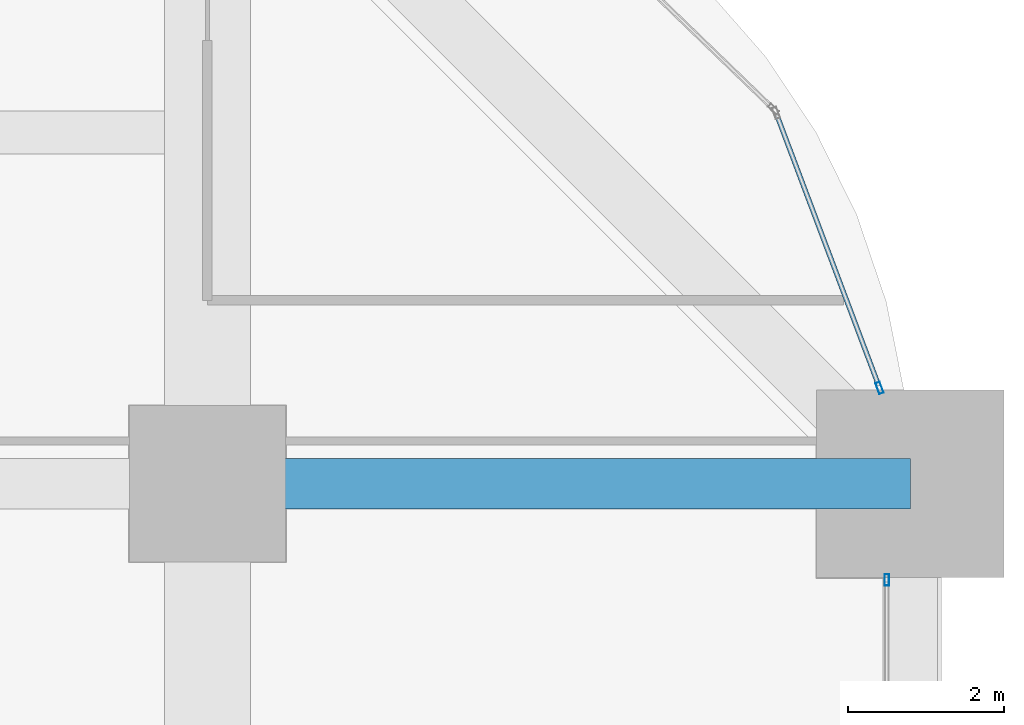
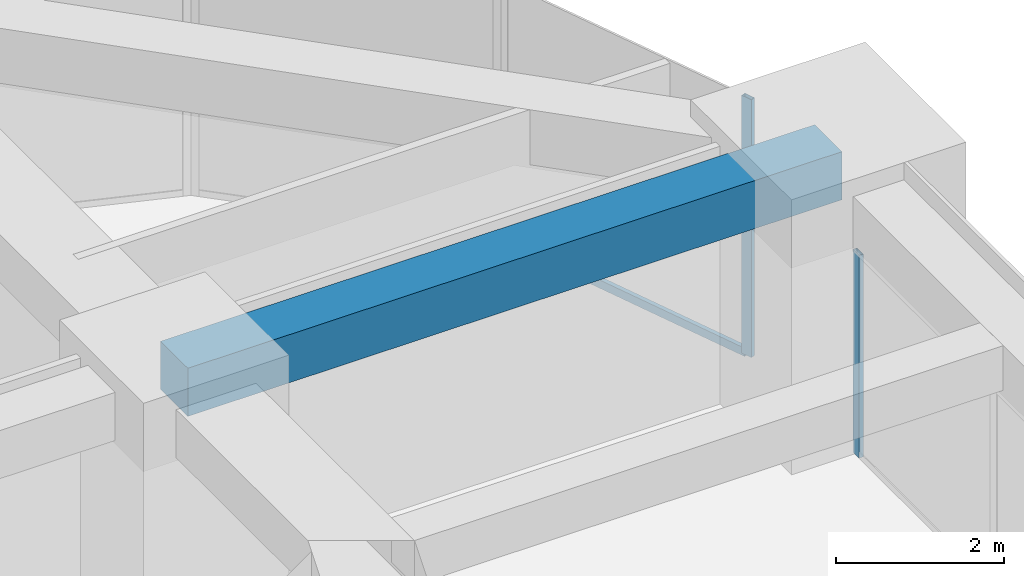
# One storey, part 32 of 41: 3 members, 1 beam, 2 elements without a shape of their own.
"""IFC4 building model written with IfcOpenShell, lengths in metres."""

import ifcopenshell
import ifcopenshell.guid

model = None  # the IFC model being written
_history = None  # IfcOwnerHistory: only IFC2X3 demands one
_inside = {}  # id of a spatial element -> (the spatial element, [elements in it])
_under = {}  # id of a project, library or spatial element -> (it, [spatial elements below it])
_declared = {}  # id of a project -> (the project, [libraries it declares])
_typed = {}  # id of a type object -> (the type object, [elements of that type])
_made_of = {}  # id of a material, layer set ... -> (it, [elements and type objects made of it])


def new_model(schema):
    """Start an empty IFC model of exactly this schema.

    Asked for "IFC4X3", IfcOpenShell would pick the latest addendum, in which some entities
    have other attributes; the version numbers below select the first issue.
    IFC2X3 requires an IfcOwnerHistory on every rooted entity: one is made here for all.
    """
    global model, _history
    if schema == "IFC4X3":
        model = ifcopenshell.file(schema_version=(4, 3, 0, 0))
    else:
        model = ifcopenshell.file(schema=schema)
    _inside.clear()
    _under.clear()
    _declared.clear()
    _typed.clear()
    _made_of.clear()
    _history = None
    if model.schema == "IFC2X3":
        org = make("IfcOrganization", Name="unknown")
        user = make(
            "IfcPersonAndOrganization",
            ThePerson=make("IfcPerson", FamilyName="unknown"),
            TheOrganization=org,
        )
        app = make(
            "IfcApplication",
            ApplicationDeveloper=org,
            Version="unknown",
            ApplicationFullName="unknown",
            ApplicationIdentifier="unknown",
        )
        _history = make(
            "IfcOwnerHistory",
            OwningUser=user,
            OwningApplication=app,
            ChangeAction="ADDED",
            CreationDate=0,
        )
    return model


def make(cls, **values):
    """One entity of the class cls with the attributes given. An attribute that is None is left unset."""
    return model.create_entity(
        cls, **{name: value for name, value in values.items() if value is not None}
    )


def rooted(cls, **values):
    """An entity with a GlobalId (a new one), such as an element, a storey or a relation."""
    return make(cls, GlobalId=ifcopenshell.guid.new(), OwnerHistory=_history, **values)


def si_unit(unit_type, name, prefix=None):
    """IfcSIUnit, for example si_unit("LENGTHUNIT", "METRE", prefix="MILLI")."""
    return make("IfcSIUnit", UnitType=unit_type, Prefix=prefix, Name=name)


def assignment(units):
    """IfcUnitAssignment: the units of a project."""
    return None if units is None else make("IfcUnitAssignment", Units=units)


def point(xyz):
    """IfcCartesianPoint."""
    return None if xyz is None else make("IfcCartesianPoint", Coordinates=xyz)


def direction(xyz):
    """IfcDirection."""
    return None if xyz is None else make("IfcDirection", DirectionRatios=xyz)


def frame(location, z_axis=None, x_axis=None):
    """IfcAxis2Placement3D, a coordinate frame: its origin and axes. An axis left out is left unset."""
    return make(
        "IfcAxis2Placement3D",
        Location=point(location),
        Axis=direction(z_axis),
        RefDirection=direction(x_axis),
    )


def frame_2d(location, x_axis=None):
    """IfcAxis2Placement2D, a coordinate frame in the plane: its origin and x axis."""
    return make(
        "IfcAxis2Placement2D", Location=point(location), RefDirection=direction(x_axis)
    )


def origin():
    """The frame at (0, 0, 0) with its axes left unset."""
    return frame((0.0, 0.0, 0.0))


def origin_2d():
    """The frame at (0, 0) in the plane with its x axis left unset."""
    return frame_2d((0.0, 0.0))


def place(relative_to, where):
    """IfcLocalPlacement: puts the frame where relative to a parent placement (None: the world)."""
    return make(
        "IfcLocalPlacement", PlacementRelTo=relative_to, RelativePlacement=where
    )


def context(
    kind, dimensions, precision=None, world=None, true_north=None, identifier=None
):
    """IfcGeometricRepresentationContext, for example the 3D "Model" context."""
    return make(
        "IfcGeometricRepresentationContext",
        ContextIdentifier=identifier,
        ContextType=kind,
        CoordinateSpaceDimension=dimensions,
        Precision=precision,
        WorldCoordinateSystem=world,
        TrueNorth=true_north,
    )


def subcontext(parent, identifier, kind, view, scale=None):
    """IfcGeometricRepresentationSubContext, for example "Body" below "Model"."""
    return make(
        "IfcGeometricRepresentationSubContext",
        ContextIdentifier=identifier,
        ContextType=kind,
        ParentContext=parent,
        TargetScale=scale,
        TargetView=view,
    )


def project(units=None, contexts=None):
    """IfcProject with its units and contexts."""
    return rooted(
        "IfcProject",
        Name="project",
        RepresentationContexts=contexts,
        UnitsInContext=assignment(units),
    )


def spatial(cls, under=None, at=None, **own):
    """A site, building, storey or space (cls), placed at a placement, below another one or the project."""
    s = rooted(cls, ObjectPlacement=at, **own)
    if under is not None:
        _under.setdefault(under.id(), (under, []))[1].append(s)
    return s


def profile(cls, at=None, kind="AREA", **sizes):
    """A parametric profile (cls). Its sizes go by their IFC names, for example OverallWidth=200.0."""
    return make(cls, ProfileType=kind, Position=at, **sizes)


def rectangle(**sizes):
    """IfcRectangleProfileDef."""
    return profile("IfcRectangleProfileDef", **sizes)


def hollow_rectangle(**sizes):
    """IfcRectangleHollowProfileDef."""
    return profile("IfcRectangleHollowProfileDef", **sizes)


def extrude(swept, where, along, depth):
    """IfcExtrudedAreaSolid: the profile swept, set in the frame where, extruded along a direction by depth."""
    return make(
        "IfcExtrudedAreaSolid",
        SweptArea=swept,
        Position=where,
        ExtrudedDirection=direction(along),
        Depth=depth,
    )


def shape(context_of_items, identifier, shape_type, items):
    """IfcShapeRepresentation: the items that make up one representation, for example the "Body"."""
    return make(
        "IfcShapeRepresentation",
        ContextOfItems=context_of_items,
        RepresentationIdentifier=identifier,
        RepresentationType=shape_type,
        Items=items,
    )


def material(Name=None, Category=None):
    """IfcMaterial."""
    return make("IfcMaterial", Name=Name, Category=Category)


def material_profile(
    of_material, cross_section, Name=None, Category=None, Priority=None
):
    """IfcMaterialProfile: a cross section and its material."""
    return make(
        "IfcMaterialProfile",
        Name=Name,
        Material=of_material,
        Profile=cross_section,
        Priority=Priority,
        Category=Category,
    )


def profile_set(profiles, Name=None, composite=None):
    """IfcMaterialProfileSet."""
    return make(
        "IfcMaterialProfileSet",
        Name=Name,
        MaterialProfiles=profiles,
        CompositeProfile=composite,
    )


def made_of(thing, what):
    """Note that an element or type object is made of a material, layer set ...; save() writes the relation."""
    if what is not None:
        _made_of.setdefault(what.id(), (what, []))[1].append(thing)
    return thing


def type_object(cls, material=None, **own):
    """A type object (cls), such as IfcWallType, which elements share."""
    return made_of(rooted(cls, **own), material)


def element(
    cls,
    number,
    at=None,
    inside=None,
    cuts=None,
    type_object=None,
    material=None,
    context=None,
    identifier="Body",
    shape_type=None,
    held_by="IfcProductDefinitionShape",
    body=None,
    shapes=None,
    **own,
):
    """One element of the class cls, such as IfcWall. Its Tag is "e" and its number.

    at: its placement. inside: the storey or other place that contains it. cuts: it is an
    opening in that element (IfcRelVoidsElement). A single representation is given by context,
    identifier, shape_type and body (its items); several are given by shapes. held_by: the class
    of the entity that holds the representations. save() writes the other relations.
    """
    e = rooted(cls, Tag="e%d" % number, ObjectPlacement=at, **own)
    if body is not None:
        shapes = [shape(context, identifier, shape_type, body)]
    if shapes is not None:
        e.Representation = make(held_by, Representations=shapes)
    if inside is not None:
        _inside.setdefault(inside.id(), (inside, []))[1].append(e)
    if cuts is not None:
        rooted(
            "IfcRelVoidsElement", RelatingBuildingElement=cuts, RelatedOpeningElement=e
        )
    if type_object is not None:
        _typed.setdefault(type_object.id(), (type_object, []))[1].append(e)
    return made_of(e, material)


def aggregate(whole, parts):
    """IfcRelAggregates: a whole, such as a stair, and the parts it consists of."""
    return rooted("IfcRelAggregates", RelatingObject=whole, RelatedObjects=parts)


def save(model, path):
    """Write the relations noted so far, then the file.

    IfcRelAggregates (storeys below a building ...), IfcRelContainedInSpatialStructure (elements
    in a storey), IfcRelDefinesByType, IfcRelAssociatesMaterial and IfcRelDeclares: one each for
    every whole, place, type object, material and project.
    """
    for whole, parts in _under.values():
        aggregate(whole, parts)
    for where, things in _inside.values():
        rooted(
            "IfcRelContainedInSpatialStructure",
            RelatedElements=things,
            RelatingStructure=where,
        )
    for kind, things in _typed.values():
        rooted("IfcRelDefinesByType", RelatedObjects=things, RelatingType=kind)
    for what, things in _made_of.values():
        rooted("IfcRelAssociatesMaterial", RelatedObjects=things, RelatingMaterial=what)
    for by, libraries in _declared.values():
        rooted("IfcRelDeclares", RelatingContext=by, RelatedDefinitions=libraries)
    model.write(path)


model = new_model("IFC4")

# Units and contexts
model_context = context("Model", 3, precision=1e-05, world=origin(), true_north=direction((0.0, 1.0)))
body_context = subcontext(model_context, "Body", "Model", "MODEL_VIEW")
ifc_project = project(units=[si_unit("LENGTHUNIT", "METRE"), si_unit("AREAUNIT", "SQUARE_METRE"), si_unit("VOLUMEUNIT", "CUBIC_METRE"), si_unit("PLANEANGLEUNIT", "RADIAN"), si_unit("MASSUNIT", "GRAM", prefix="KILO")], contexts=[model_context])

# Site, building, storey
site_placement = place(None, origin())
site = spatial("IfcSite", under=ifc_project, at=site_placement, CompositionType="ELEMENT")
building_placement = place(site_placement, origin())
building = spatial("IfcBuilding", under=site, at=building_placement, Name="Zorevar Civic Tower", CompositionType="ELEMENT")
storey_placement = place(building_placement, frame((0.0, 0.0, 97.0)))
storey = spatial("IfcBuildingStorey", under=building, at=storey_placement, Name="L23", CompositionType="ELEMENT", Elevation=97.0)

# Beam
ifc_material_1 = material(Name="Concrete C50/60", Category="concrete")
ifc_material_profile_1 = material_profile(ifc_material_1, rectangle(XDim=0.64990234375, YDim=0.699951171875, at=origin_2d()), Name="RC 650x700")
ifc_profile_set_1 = profile_set([ifc_material_profile_1], Name="Concrete C50/60")
beam_type = type_object("IfcBeamType", Name="Beam RC 650x700", PredefinedType="BEAM", material=ifc_profile_set_1)
beam_placement = place(storey_placement, frame((54.0, 36.0, 3.39990234375), z_axis=(1.0, 0.0, 0.0), x_axis=(0.0, 1.0, 0.0)))
element("IfcBeam", 1, at=beam_placement, inside=storey, type_object=beam_type, Name="Girder L24", PredefinedType="BEAM", context=body_context, shape_type="SweptSolid", body=[
    extrude(rectangle(XDim=0.64990234375, YDim=0.699951171875, at=origin_2d()), origin(), (0.0, 0.0, 1.0), 9.0),
])

# Curtain wall, member
ifc_material_2 = material(Name="Dark grey solar-control glass in black aluminium frame", Category="aluminium")
curtain_wall_type = type_object("IfcCurtainWallType", Name="Curtain wall CW3 mid zone", PredefinedType="NOTDEFINED", material=ifc_material_2)
curtain_wall_1_placement = place(storey_placement, origin())
curtain_wall_1 = element("IfcCurtainWall", 2, at=curtain_wall_1_placement, inside=storey, type_object=curtain_wall_type, Name="CW3 L23", PredefinedType="NOTDEFINED")
ifc_material_3 = material(Name="Aluminium, black anodised", Category="aluminium")
ifc_material_profile_2 = material_profile(ifc_material_3, hollow_rectangle(XDim=0.06005859375, YDim=0.14990234375, WallThickness=0.00390625, at=origin_2d()), Name="AL 150x60x4")
ifc_profile_set_2 = profile_set([ifc_material_profile_2], Name="Aluminium, black anodised")
member_type_1 = type_object("IfcMemberType", Name="CW3 mullion AL 150x60x4", PredefinedType="MULLION", material=ifc_profile_set_2)
member_1_placement = place(storey_placement, frame((62.699951171875, 34.77001953125, 0.0), z_axis=(0.0, 0.0, 1.0), x_axis=(-1.0, 0.0, 0.0)))
member_1 = element("IfcMember", 3, at=member_1_placement, type_object=member_type_1, Name="CW3 mullion 3", PredefinedType="MULLION", context=body_context, shape_type="SweptSolid", body=[
    extrude(hollow_rectangle(XDim=0.06005859375, YDim=0.14990234375, WallThickness=0.00390625, at=origin_2d()), origin(), (0.0, 0.0, 1.0), 2.949951171875),
])
aggregate(curtain_wall_1, [member_1])

# Curtain wall, members
curtain_wall_2_placement = place(storey_placement, origin())
curtain_wall_2 = element("IfcCurtainWall", 4, at=curtain_wall_2_placement, inside=storey, type_object=curtain_wall_type, Name="CW3 L23", PredefinedType="NOTDEFINED")
member_2_placement = place(storey_placement, frame((62.606201171875, 37.22802734375, 0.0), z_axis=(0.0, 0.0, 1.0), x_axis=(-0.935950528564, -0.352131520999, 0.0)))
member_2 = element("IfcMember", 5, at=member_2_placement, type_object=member_type_1, Name="CW3 mullion 1", PredefinedType="MULLION", context=body_context, shape_type="SweptSolid", body=[
    extrude(hollow_rectangle(XDim=0.06005859375, YDim=0.14990234375, WallThickness=0.00390625, at=origin_2d()), origin(), (0.0, 0.0, 1.0), 3.75),
])
ifc_material_4 = material(Name="Aluminium, black anodised", Category="aluminium")
ifc_material_profile_3 = material_profile(ifc_material_4, hollow_rectangle(XDim=0.06005859375, YDim=0.1201171875, WallThickness=0.0029296875, at=origin_2d()), Name="AL 120x60x3")
ifc_profile_set_3 = profile_set([ifc_material_profile_3], Name="Aluminium, black anodised")
member_type_2 = type_object("IfcMemberType", Name="CW3 transom AL 120x60x3", PredefinedType="USERDEFINED", material=ifc_profile_set_3)
member_3_placement = place(storey_placement, frame((62.595703125, 37.256103515625, 0.030029296875), z_axis=(-0.352142207579, 0.935946507895, 0.0), x_axis=(-0.935946507895, -0.352142207579, 0.0)))
member_3 = element("IfcMember", 6, at=member_3_placement, type_object=member_type_2, Name="CW3 sill transom", ObjectType="TRANSOM", PredefinedType="USERDEFINED", context=body_context, shape_type="SweptSolid", body=[
    extrude(hollow_rectangle(XDim=0.06005859375, YDim=0.1201171875, WallThickness=0.0029296875, at=origin_2d()), origin(), (0.0, 0.0, 1.0), 3.7021484375),
])
aggregate(curtain_wall_2, [member_2, member_3])

save(model, "model.ifc")
